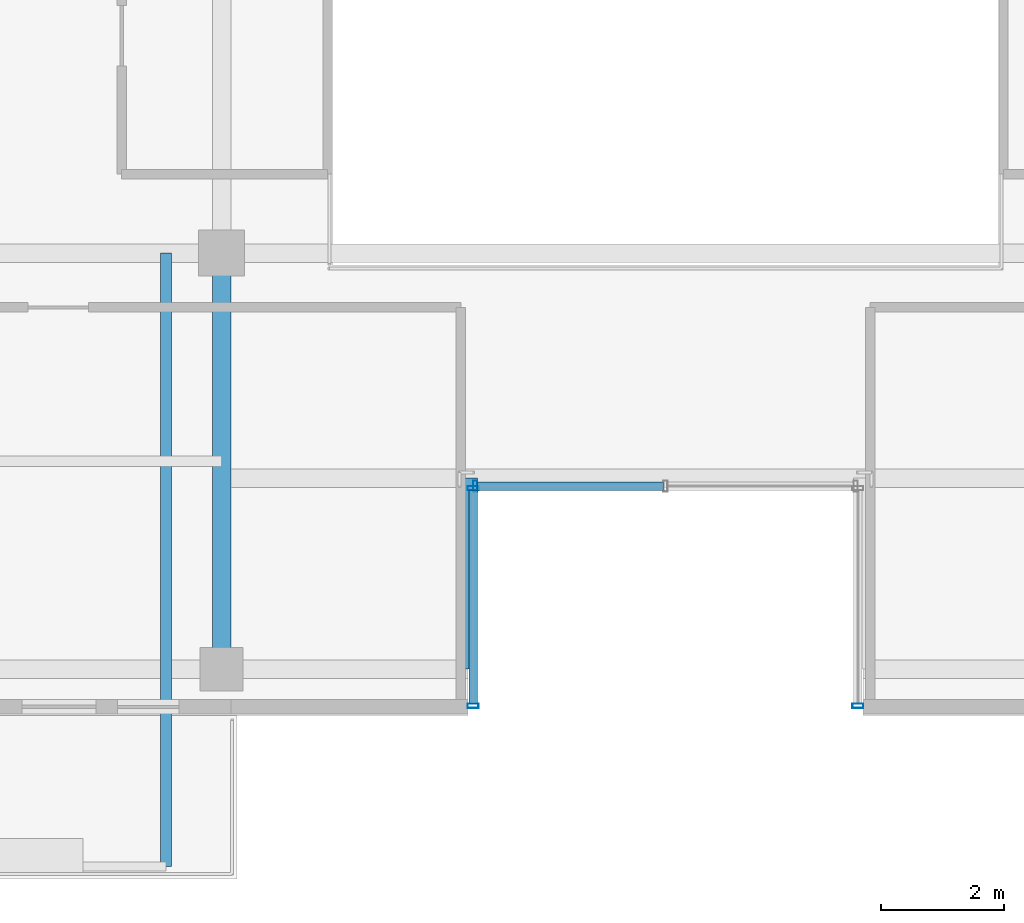
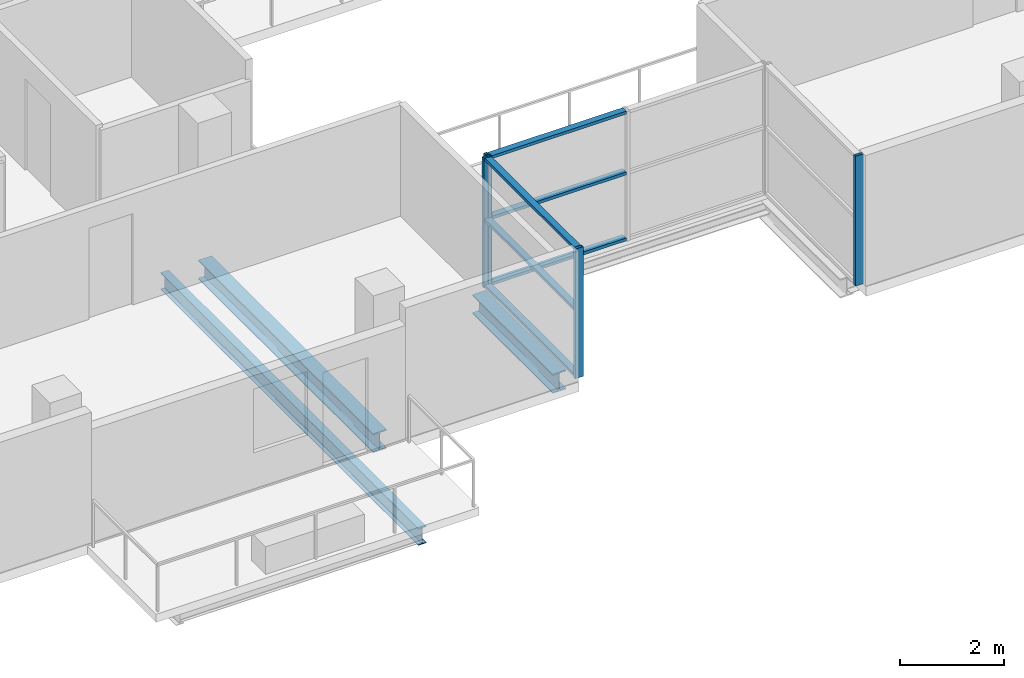
# One storey, part 3 of 22: 10 members, 3 beams, 3 elements without a shape of their own.
"""IFC4 building model written with IfcOpenShell, lengths in metres."""

from ifc_helpers import new_model, si_unit, direction, frame, origin, origin_2d, place, context, subcontext, project, spatial, hollow_rectangle, i_section, extrude, source, transform, mapped, material, layer, layer_set, material_profile, profile_set, type_object, element, aggregate, save


model = new_model("IFC4")

# Units and contexts
model_context = context("Model", 3, precision=1e-05, world=origin(), true_north=direction((0.0, 1.0)))
body_context = subcontext(model_context, "Body", "Model", "MODEL_VIEW")
ifc_project = project(units=[si_unit("LENGTHUNIT", "METRE"), si_unit("AREAUNIT", "SQUARE_METRE"), si_unit("VOLUMEUNIT", "CUBIC_METRE"), si_unit("PLANEANGLEUNIT", "RADIAN"), si_unit("MASSUNIT", "GRAM", prefix="KILO")], contexts=[model_context])

# Site, building, storey
site_placement = place(None, origin())
site = spatial("IfcSite", under=ifc_project, at=site_placement, CompositionType="ELEMENT")
building_placement = place(site_placement, origin())
building = spatial("IfcBuilding", under=site, at=building_placement, Name="Zarnakvel Exchange Tower", CompositionType="ELEMENT")
storey_placement = place(building_placement, frame((0.0, 0.0, 215.5)))
storey = spatial("IfcBuildingStorey", under=building, at=storey_placement, Name="L60", CompositionType="ELEMENT", Elevation=215.5)

# Beams
ifc_material_1 = material(Name="Steel S355", Category="steel")
ifc_material_profile_1 = material_profile(ifc_material_1, i_section(OverallWidth=0.179931640625, OverallDepth=0.39990234375, WebThickness=0.008544921875, FlangeThickness=0.013427734375, FilletRadius=0.02099609375, at=origin_2d()))
ifc_profile_set_1 = profile_set([ifc_material_profile_1], Name="Steel S355")
beam_type_1 = type_object("IfcBeamType", Name="B-06", PredefinedType="JOIST", material=ifc_profile_set_1)
beam_1_placement = place(storey_placement, frame((-8.10009765625, -9.60009765625, -0.425048828125), z_axis=(0.0, -1.0, 0.0), x_axis=(1.0, 0.0, 0.0)))
element("IfcBeam", 1, at=beam_1_placement, inside=storey, type_object=beam_type_1, Name="L60 Continuous Back-Spanned Balcony Beam E", PredefinedType="JOIST", context=body_context, shape_type="SweptSolid", body=[
    extrude(i_section(OverallWidth=0.179931640625, OverallDepth=0.39990234375, WebThickness=0.008544921875, FlangeThickness=0.013427734375, FilletRadius=0.02099609375, at=origin_2d()), origin(), (0.0, 0.0, 1.0), 9.949951171875),
])
ifc_material_profile_2 = material_profile(ifc_material_1, i_section(OverallWidth=0.300048828125, OverallDepth=0.449951171875, WebThickness=0.013916015625, FlangeThickness=0.02587890625, FilletRadius=0.027099609375, at=origin_2d()))
ifc_profile_set_2 = profile_set([ifc_material_profile_2], Name="Steel S355")
beam_type_2 = type_object("IfcBeamType", Name="G-07", PredefinedType="BEAM", material=ifc_profile_set_2)
beam_2_placement = place(storey_placement, frame((-3.199951171875, -16.35009765625, -0.449951171875), z_axis=(0.0, 1.0, 0.0), x_axis=(-1.0, 0.0, 0.0)))
element("IfcBeam", 2, at=beam_2_placement, inside=storey, type_object=beam_type_2, Name="L60 South Slot West Cheek Beam", PredefinedType="BEAM", context=body_context, shape_type="SweptSolid", body=[
    extrude(i_section(OverallWidth=0.300048828125, OverallDepth=0.449951171875, WebThickness=0.013916015625, FlangeThickness=0.02587890625, FilletRadius=0.027099609375, at=origin_2d()), origin(), (0.0, 0.0, 1.0), 3.10009765625),
])
beam_3_placement = place(storey_placement, frame((-7.199951171875, -16.35009765625, -0.449951171875), z_axis=(0.0, 1.0, 0.0), x_axis=(-1.0, 0.0, 0.0)))
element("IfcBeam", 3, at=beam_3_placement, inside=storey, type_object=beam_type_2, Name="L60 Tower N-S Frame Beam", PredefinedType="BEAM", context=body_context, shape_type="SweptSolid", body=[
    extrude(i_section(OverallWidth=0.300048828125, OverallDepth=0.449951171875, WebThickness=0.013916015625, FlangeThickness=0.02587890625, FilletRadius=0.027099609375, at=origin_2d()), origin(), (0.0, 0.0, 1.0), 6.75),
])

# Curtain wall, members
ifc_material_2 = material(Name="Architectural Bronze Anodised Aluminium", Category="aluminium")
ifc_layer = layer(ifc_material_2, 0.179931640625)
ifc_layer_set = layer_set([ifc_layer], Name="Architectural Bronze Anodised Aluminium")
curtain_wall_type = type_object("IfcCurtainWallType", Name="CW-05", PredefinedType="NOTDEFINED", material=ifc_layer_set)
curtain_wall_1_placement = place(storey_placement, origin())
curtain_wall_1 = element("IfcCurtainWall", 4, at=curtain_wall_1_placement, inside=storey, type_object=curtain_wall_type, Name="L60 Curtain Wall CW-L60-SLW (CW-05)", PredefinedType="NOTDEFINED")
ifc_material_profile_3 = material_profile(ifc_material_2, hollow_rectangle(XDim=0.139892578125, YDim=0.070068359375, WallThickness=0.00390625, at=origin_2d()))
ifc_profile_set_3 = profile_set([ifc_material_profile_3], Name="Architectural Bronze Anodised Aluminium")
member_type_1 = type_object("IfcMemberType", Name="CWT-05", PredefinedType="USERDEFINED", material=ifc_profile_set_3)
shared_shape_1 = source(origin(), body_context, "Body", "SweptSolid", [
    extrude(hollow_rectangle(XDim=0.139892578125, YDim=0.070068359375, WallThickness=0.00390625, at=origin_2d()), origin(), (0.0, 0.0, 1.0), 3.4599609375),
])
member_1_placement = place(storey_placement, frame((-3.1201171875, -16.909912109375, 0.034912109375), z_axis=(0.0, 1.0, 0.0), x_axis=(-1.0, 0.0, 0.0)))
member_1 = element("IfcMember", 5, at=member_1_placement, type_object=member_type_1, Name="CW-05 transom 1.1", ObjectType="TRANSOM", PredefinedType="USERDEFINED", context=body_context, shape_type="MappedRepresentation", body=[
    mapped(shared_shape_1, transform((0.0, 0.0, 0.0), x_axis=(1.0, 0.0, 0.0), y_axis=(0.0, 1.0, 0.0), z_axis=(0.0, 0.0, 1.0), scale=1.0)),
])
member_2_placement = place(storey_placement, frame((-3.1201171875, -16.909912109375, 1.588623046875), z_axis=(0.0, 1.0, 0.0), x_axis=(-1.0, 0.0, 0.0)))
member_2 = element("IfcMember", 6, at=member_2_placement, type_object=member_type_1, Name="CW-05 transom 1.2", ObjectType="TRANSOM", PredefinedType="USERDEFINED", context=body_context, shape_type="MappedRepresentation", body=[
    mapped(shared_shape_1, transform((0.0, 0.0, 0.0), x_axis=(1.0, 0.0, 0.0), y_axis=(0.0, 1.0, 0.0), z_axis=(0.0, 0.0, 1.0), scale=1.0)),
])
member_3_placement = place(storey_placement, frame((-3.1201171875, -16.909912109375, 3.02001953125), z_axis=(0.0, 1.0, 0.0), x_axis=(-1.0, 0.0, 0.0)))
member_3 = element("IfcMember", 7, at=member_3_placement, type_object=member_type_1, Name="CW-05 transom 1.3", ObjectType="TRANSOM", PredefinedType="USERDEFINED", context=body_context, shape_type="MappedRepresentation", body=[
    mapped(shared_shape_1, transform((0.0, 0.0, 0.0), x_axis=(1.0, 0.0, 0.0), y_axis=(0.0, 1.0, 0.0), z_axis=(0.0, 0.0, 1.0), scale=1.0)),
])

curtain_wall_2_placement = place(storey_placement, origin())
curtain_wall_2 = element("IfcCurtainWall", 8, at=curtain_wall_2_placement, inside=storey, type_object=curtain_wall_type, Name="L60 Curtain Wall CW-L60-SLB (CW-05)", PredefinedType="NOTDEFINED")
shared_shape_2 = source(origin(), body_context, "Body", "SweptSolid", [
    extrude(hollow_rectangle(XDim=0.139892578125, YDim=0.070068359375, WallThickness=0.00390625, at=origin_2d()), origin(), (0.0, 0.0, 1.0), 3.01513671875),
])
member_4_placement = place(storey_placement, frame((-3.050048828125, -13.3798828125, 0.034912109375), z_axis=(1.0, 0.0, 0.0), x_axis=(0.0, 1.0, 0.0)))
member_4 = element("IfcMember", 9, at=member_4_placement, type_object=member_type_1, Name="CW-05 transom 1.1", ObjectType="TRANSOM", PredefinedType="USERDEFINED", context=body_context, shape_type="MappedRepresentation", body=[
    mapped(shared_shape_2, transform((0.0, 0.0, 0.0), x_axis=(1.0, 0.0, 0.0), y_axis=(0.0, 1.0, 0.0), z_axis=(0.0, 0.0, 1.0), scale=1.0)),
])
member_5_placement = place(storey_placement, frame((-3.050048828125, -13.3798828125, 1.588623046875), z_axis=(1.0, 0.0, 0.0), x_axis=(0.0, 1.0, 0.0)))
member_5 = element("IfcMember", 10, at=member_5_placement, type_object=member_type_1, Name="CW-05 transom 1.2", ObjectType="TRANSOM", PredefinedType="USERDEFINED", context=body_context, shape_type="MappedRepresentation", body=[
    mapped(shared_shape_2, transform((0.0, 0.0, 0.0), x_axis=(1.0, 0.0, 0.0), y_axis=(0.0, 1.0, 0.0), z_axis=(0.0, 0.0, 1.0), scale=1.0)),
])
member_6_placement = place(storey_placement, frame((-3.050048828125, -13.3798828125, 3.02001953125), z_axis=(1.0, 0.0, 0.0), x_axis=(0.0, 1.0, 0.0)))
member_6 = element("IfcMember", 11, at=member_6_placement, type_object=member_type_1, Name="CW-05 transom 1.3", ObjectType="TRANSOM", PredefinedType="USERDEFINED", context=body_context, shape_type="MappedRepresentation", body=[
    mapped(shared_shape_2, transform((0.0, 0.0, 0.0), x_axis=(1.0, 0.0, 0.0), y_axis=(0.0, 1.0, 0.0), z_axis=(0.0, 0.0, 1.0), scale=1.0)),
])

# Member
ifc_material_profile_4 = material_profile(ifc_material_2, hollow_rectangle(XDim=0.179931640625, YDim=0.070068359375, WallThickness=0.00390625, at=origin_2d()))
ifc_profile_set_4 = profile_set([ifc_material_profile_4], Name="Architectural Bronze Anodised Aluminium")
member_type_2 = type_object("IfcMemberType", Name="CWM-05", PredefinedType="MULLION", material=ifc_profile_set_4)
shared_shape_3 = source(origin(), body_context, "Body", "SweptSolid", [
    extrude(hollow_rectangle(XDim=0.179931640625, YDim=0.070068359375, WallThickness=0.00390625, at=origin_2d()), origin(), (0.0, 0.0, 1.0), 3.054931640625),
])
member_7_placement = place(storey_placement, frame((-3.1201171875, -16.945068359375, 0.0), z_axis=(0.0, 0.0, 1.0), x_axis=(-1.0, 0.0, 0.0)))
member_7 = element("IfcMember", 12, at=member_7_placement, type_object=member_type_2, Name="CW-05 mullion 1", PredefinedType="MULLION", context=body_context, shape_type="MappedRepresentation", body=[
    mapped(shared_shape_3, transform((0.0, 0.0, 0.0), x_axis=(1.0, 0.0, 0.0), y_axis=(0.0, 1.0, 0.0), z_axis=(0.0, 0.0, 1.0), scale=1.0)),
])

member_8_placement = place(storey_placement, frame((-3.1201171875, -13.4150390625, 0.0), z_axis=(0.0, 0.0, 1.0), x_axis=(-1.0, 0.0, 0.0)))
member_8 = element("IfcMember", 13, at=member_8_placement, type_object=member_type_2, Name="CW-05 mullion 2", PredefinedType="MULLION", context=body_context, shape_type="MappedRepresentation", body=[
    mapped(shared_shape_3, transform((0.0, 0.0, 0.0), x_axis=(1.0, 0.0, 0.0), y_axis=(0.0, 1.0, 0.0), z_axis=(0.0, 0.0, 1.0), scale=1.0)),
])

aggregate(curtain_wall_1, [member_7, member_8, member_1, member_2, member_3])

member_9_placement = place(storey_placement, frame((-3.0849609375, -13.3798828125, 0.0), z_axis=(0.0, 0.0, 1.0), x_axis=(0.0, 1.0, 0.0)))
member_9 = element("IfcMember", 14, at=member_9_placement, type_object=member_type_2, Name="CW-05 mullion 1", PredefinedType="MULLION", context=body_context, shape_type="MappedRepresentation", body=[
    mapped(shared_shape_3, transform((0.0, 0.0, 0.0), x_axis=(1.0, 0.0, 0.0), y_axis=(0.0, 1.0, 0.0), z_axis=(0.0, 0.0, 1.0), scale=1.0)),
])

aggregate(curtain_wall_2, [member_9, member_4, member_5, member_6])

# Curtain wall, member
curtain_wall_3_placement = place(storey_placement, origin())
curtain_wall_3 = element("IfcCurtainWall", 15, at=curtain_wall_3_placement, inside=storey, type_object=curtain_wall_type, Name="L60 Curtain Wall CW-L60-SLE (CW-05)", PredefinedType="NOTDEFINED")
member_10_placement = place(storey_placement, frame((3.1201171875, -16.945068359375, 0.0), z_axis=(0.0, 0.0, 1.0), x_axis=(1.0, 0.0, 0.0)))
member_10 = element("IfcMember", 16, at=member_10_placement, type_object=member_type_2, Name="CW-05 mullion 2", PredefinedType="MULLION", context=body_context, shape_type="MappedRepresentation", body=[
    mapped(shared_shape_3, transform((0.0, 0.0, 0.0), x_axis=(1.0, 0.0, 0.0), y_axis=(0.0, 1.0, 0.0), z_axis=(0.0, 0.0, 1.0), scale=1.0)),
])
aggregate(curtain_wall_3, [member_10])

save(model, "model.ifc")
